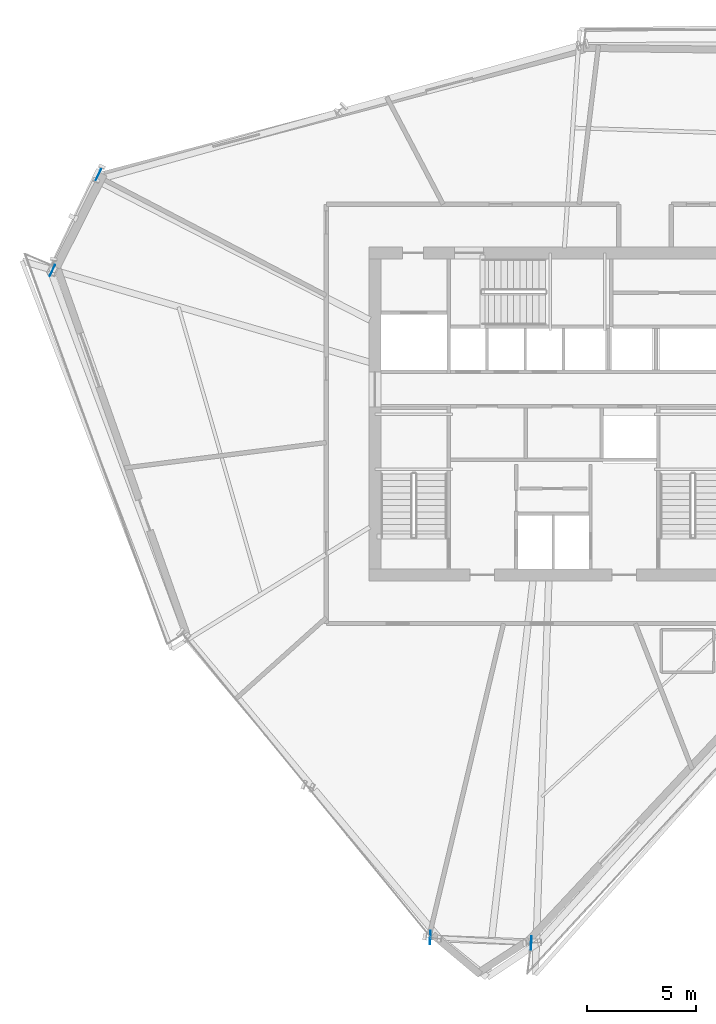
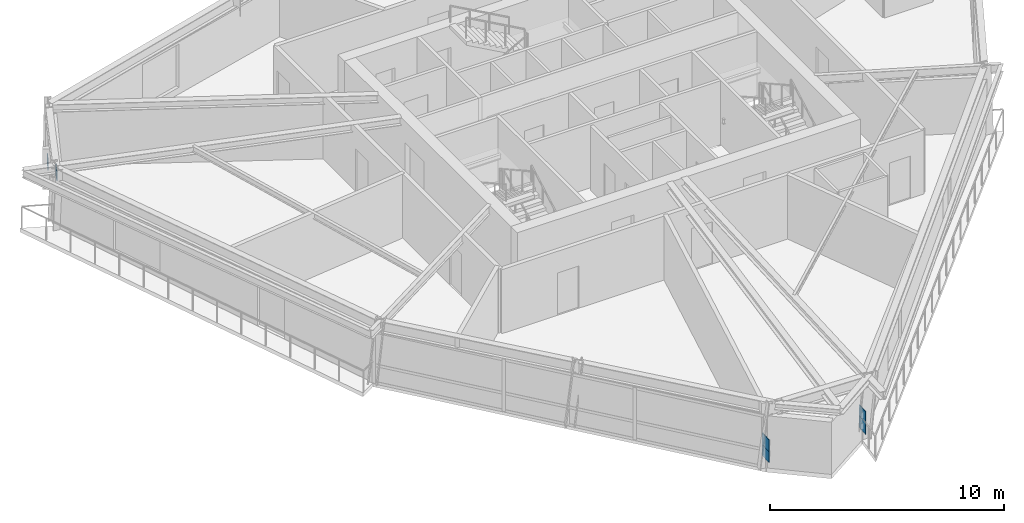
# One storey, part 7 of 15: 6 plates.
"""IFC4 building model written with IfcOpenShell, lengths in metres."""

from ifc_helpers import new_model, si_unit, direction, frame, origin, origin_2d, place, context, subcontext, project, spatial, rectangle, extrude, source, transform, mapped, material, type_object, element, save


model = new_model("IFC4")

# Units and contexts
model_context = context("Model", 3, precision=1e-05, world=origin(), true_north=direction((0.0, 1.0)))
body_context = subcontext(model_context, "Body", "Model", "MODEL_VIEW")
ifc_project = project(units=[si_unit("LENGTHUNIT", "METRE"), si_unit("AREAUNIT", "SQUARE_METRE"), si_unit("VOLUMEUNIT", "CUBIC_METRE"), si_unit("PLANEANGLEUNIT", "RADIAN"), si_unit("MASSUNIT", "GRAM", prefix="KILO")], contexts=[model_context])

# Site, building, storey
site_placement = place(None, origin())
site = spatial("IfcSite", under=ifc_project, at=site_placement, CompositionType="ELEMENT")
building_placement = place(site_placement, origin())
building = spatial("IfcBuilding", under=site, at=building_placement, Name="Olszyna Solenne Hotel", CompositionType="ELEMENT")
storey_placement = place(building_placement, frame((0.0, 0.0, 160.800048828125)))
storey = spatial("IfcBuildingStorey", under=building, at=storey_placement, Name="L42", CompositionType="ELEMENT", Elevation=160.800048828125)

# Plates
ifc_material_1 = material(Name="Steel S460M", Category="steel")
plate_type_1 = type_object("IfcPlateType", Name="GP-CAP2", PredefinedType="USERDEFINED", material=ifc_material_1)
shared_shape_1 = source(origin(), body_context, "Body", "SweptSolid", [
    extrude(rectangle(XDim=0.030029296875, YDim=0.6201171875, at=origin_2d()), origin(), (0.0, 0.0, 1.0), 0.6201171875),
])
for number, where, z_axis, x_axis, name in (
    (1, (32.36376953125, 2.621826171875, 1.039794921875), (0.0, 0.0, 1.0), (0.998536670326, -0.054078812985, 0.0), "Hollow section end-cap plate GP-CAP2 CP-PR-M-L42-PR1-1"),
    (2, (36.98486328125, 2.37158203125, 1.039794921875), (0.0, 0.0, 1.0), (0.998536670326, -0.054078812985, 0.0), "Hollow section end-cap plate GP-CAP2 CP-PR-M-L42-PR1-2"),
    (3, (32.36376953125, 2.621826171875, 0.469970703125), (0.0, 0.0, 1.0), (0.998536670326, -0.054078812985, 0.0), "Hollow section end-cap plate GP-CAP2 CP-PR-M-L42-PR2-1"),
    (4, (36.98486328125, 2.37158203125, 0.469970703125), (0.0, 0.0, 1.0), (0.998536670326, -0.054078812985, 0.0), "Hollow section end-cap plate GP-CAP2 CP-PR-M-L42-PR2-2"),
):
    element("IfcPlate", number, at=place(storey_placement, frame(where, z_axis=z_axis, x_axis=x_axis)), inside=storey, type_object=plate_type_1, Name=name, ObjectType="GUSSET_PLATE", PredefinedType="USERDEFINED", context=body_context, shape_type="MappedRepresentation", body=[
        mapped(shared_shape_1, transform((0.0, 0.0, 0.0), x_axis=(1.0, 0.0, 0.0), y_axis=(0.0, 1.0, 0.0), z_axis=(0.0, 0.0, 1.0), scale=1.0)),
    ])
ifc_material_2 = material(Name="Steel S355J2", Category="steel")
plate_type_2 = type_object("IfcPlateType", Name="GP-ND2", PredefinedType="USERDEFINED", material=ifc_material_2)
shared_shape_2 = source(origin(), body_context, "Body", "SweptSolid", [
    extrude(rectangle(XDim=0.56005859375, YDim=0.02001953125, at=origin_2d()), origin(), (0.0, 0.0, 1.0), 0.47998046875),
])
for number, where, z_axis, x_axis, name in (
    (5, (17.165771484375, 37.55859375, -0.159423828125), (0.0, 0.0, 1.0), (-0.433029908525, -0.901379552865, 0.0), "Brace end connection gusset plate GP-ND2 EP-BR-L42-2-1"),
    (6, (15.056884765625, 33.169189453125, 2.689208984375), (0.0, 0.0, 1.0), (-0.433029908525, -0.901379552865, 0.0), "Brace end connection gusset plate GP-ND2 EP-BR-L42-2-2"),
):
    element("IfcPlate", number, at=place(storey_placement, frame(where, z_axis=z_axis, x_axis=x_axis)), inside=storey, type_object=plate_type_2, Name=name, ObjectType="GUSSET_PLATE", PredefinedType="USERDEFINED", context=body_context, shape_type="MappedRepresentation", body=[
        mapped(shared_shape_2, transform((0.0, 0.0, 0.0), x_axis=(1.0, 0.0, 0.0), y_axis=(0.0, 1.0, 0.0), z_axis=(0.0, 0.0, 1.0), scale=1.0)),
    ])

save(model, "model.ifc")
